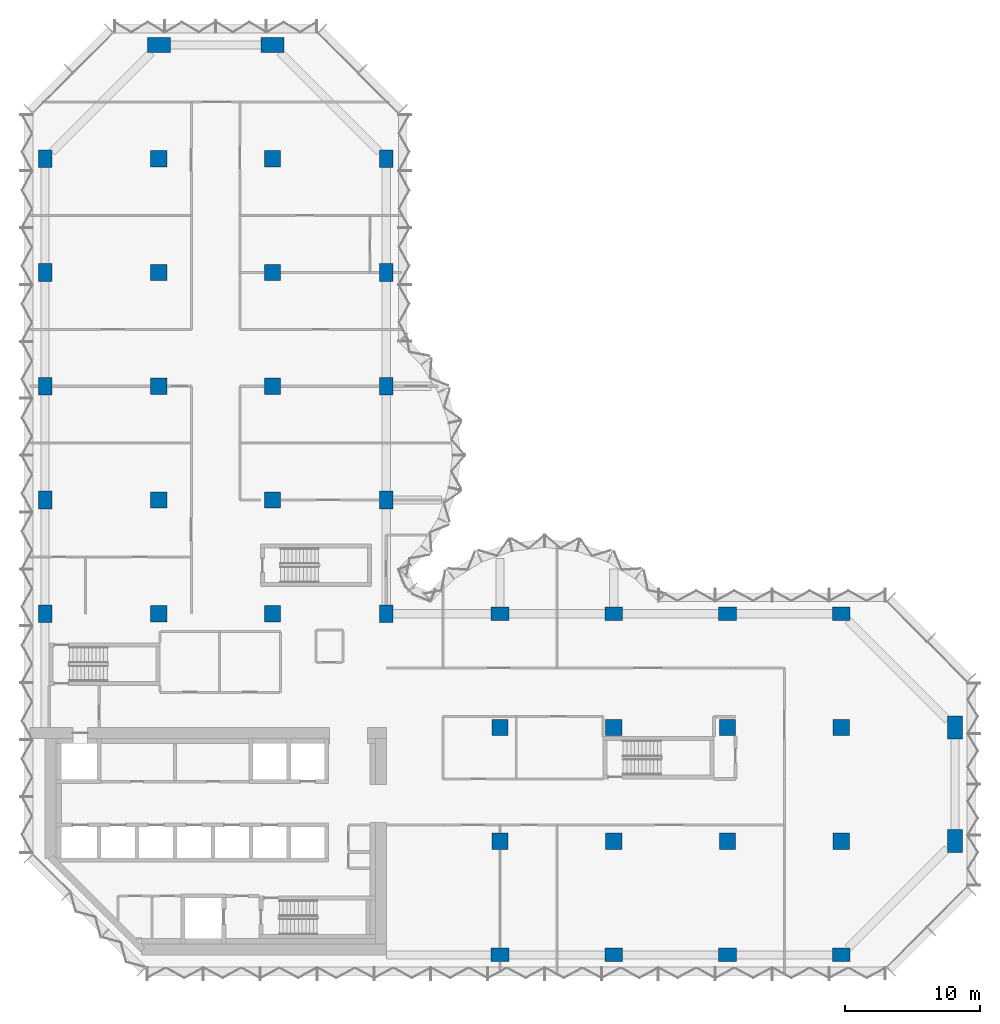
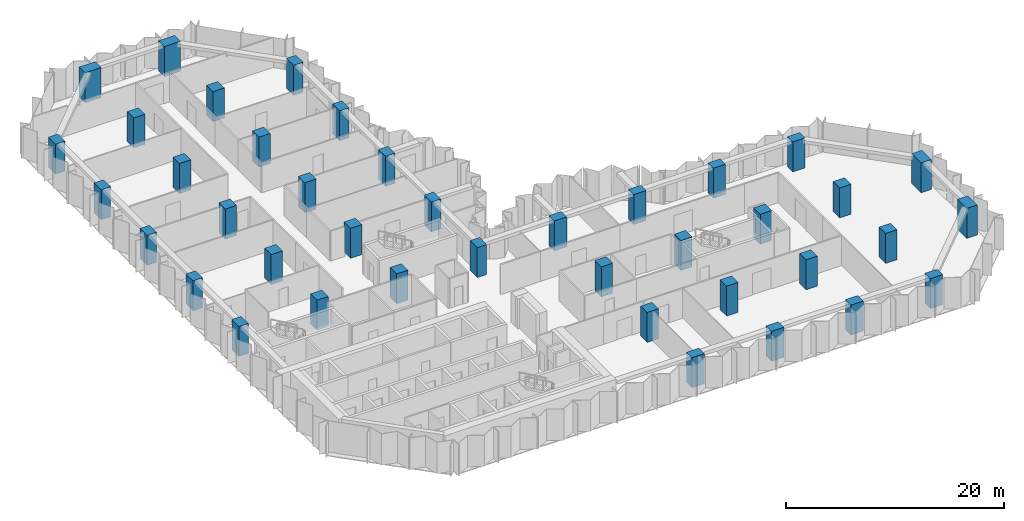
# One storey, part 1 of 13: 40 columns.
"""IFC4 building model written with IfcOpenShell, lengths in metres."""

import ifcopenshell
import ifcopenshell.guid

model = None  # the IFC model being written
_history = None  # IfcOwnerHistory: only IFC2X3 demands one
_inside = {}  # id of a spatial element -> (the spatial element, [elements in it])
_under = {}  # id of a project, library or spatial element -> (it, [spatial elements below it])
_declared = {}  # id of a project -> (the project, [libraries it declares])
_typed = {}  # id of a type object -> (the type object, [elements of that type])
_made_of = {}  # id of a material, layer set ... -> (it, [elements and type objects made of it])


def new_model(schema):
    """Start an empty IFC model of exactly this schema.

    Asked for "IFC4X3", IfcOpenShell would pick the latest addendum, in which some entities
    have other attributes; the version numbers below select the first issue.
    IFC2X3 requires an IfcOwnerHistory on every rooted entity: one is made here for all.
    """
    global model, _history
    if schema == "IFC4X3":
        model = ifcopenshell.file(schema_version=(4, 3, 0, 0))
    else:
        model = ifcopenshell.file(schema=schema)
    _inside.clear()
    _under.clear()
    _declared.clear()
    _typed.clear()
    _made_of.clear()
    _history = None
    if model.schema == "IFC2X3":
        org = make("IfcOrganization", Name="unknown")
        user = make(
            "IfcPersonAndOrganization",
            ThePerson=make("IfcPerson", FamilyName="unknown"),
            TheOrganization=org,
        )
        app = make(
            "IfcApplication",
            ApplicationDeveloper=org,
            Version="unknown",
            ApplicationFullName="unknown",
            ApplicationIdentifier="unknown",
        )
        _history = make(
            "IfcOwnerHistory",
            OwningUser=user,
            OwningApplication=app,
            ChangeAction="ADDED",
            CreationDate=0,
        )
    return model


def make(cls, **values):
    """One entity of the class cls with the attributes given. An attribute that is None is left unset."""
    return model.create_entity(
        cls, **{name: value for name, value in values.items() if value is not None}
    )


def rooted(cls, **values):
    """An entity with a GlobalId (a new one), such as an element, a storey or a relation."""
    return make(cls, GlobalId=ifcopenshell.guid.new(), OwnerHistory=_history, **values)


def si_unit(unit_type, name, prefix=None):
    """IfcSIUnit, for example si_unit("LENGTHUNIT", "METRE", prefix="MILLI")."""
    return make("IfcSIUnit", UnitType=unit_type, Prefix=prefix, Name=name)


def assignment(units):
    """IfcUnitAssignment: the units of a project."""
    return None if units is None else make("IfcUnitAssignment", Units=units)


def point(xyz):
    """IfcCartesianPoint."""
    return None if xyz is None else make("IfcCartesianPoint", Coordinates=xyz)


def direction(xyz):
    """IfcDirection."""
    return None if xyz is None else make("IfcDirection", DirectionRatios=xyz)


def frame(location, z_axis=None, x_axis=None):
    """IfcAxis2Placement3D, a coordinate frame: its origin and axes. An axis left out is left unset."""
    return make(
        "IfcAxis2Placement3D",
        Location=point(location),
        Axis=direction(z_axis),
        RefDirection=direction(x_axis),
    )


def frame_2d(location, x_axis=None):
    """IfcAxis2Placement2D, a coordinate frame in the plane: its origin and x axis."""
    return make(
        "IfcAxis2Placement2D", Location=point(location), RefDirection=direction(x_axis)
    )


def origin():
    """The frame at (0, 0, 0) with its axes left unset."""
    return frame((0.0, 0.0, 0.0))


def origin_2d():
    """The frame at (0, 0) in the plane with its x axis left unset."""
    return frame_2d((0.0, 0.0))


def place(relative_to, where):
    """IfcLocalPlacement: puts the frame where relative to a parent placement (None: the world)."""
    return make(
        "IfcLocalPlacement", PlacementRelTo=relative_to, RelativePlacement=where
    )


def context(
    kind, dimensions, precision=None, world=None, true_north=None, identifier=None
):
    """IfcGeometricRepresentationContext, for example the 3D "Model" context."""
    return make(
        "IfcGeometricRepresentationContext",
        ContextIdentifier=identifier,
        ContextType=kind,
        CoordinateSpaceDimension=dimensions,
        Precision=precision,
        WorldCoordinateSystem=world,
        TrueNorth=true_north,
    )


def subcontext(parent, identifier, kind, view, scale=None):
    """IfcGeometricRepresentationSubContext, for example "Body" below "Model"."""
    return make(
        "IfcGeometricRepresentationSubContext",
        ContextIdentifier=identifier,
        ContextType=kind,
        ParentContext=parent,
        TargetScale=scale,
        TargetView=view,
    )


def project(units=None, contexts=None):
    """IfcProject with its units and contexts."""
    return rooted(
        "IfcProject",
        Name="project",
        RepresentationContexts=contexts,
        UnitsInContext=assignment(units),
    )


def spatial(cls, under=None, at=None, **own):
    """A site, building, storey or space (cls), placed at a placement, below another one or the project."""
    s = rooted(cls, ObjectPlacement=at, **own)
    if under is not None:
        _under.setdefault(under.id(), (under, []))[1].append(s)
    return s


def profile(cls, at=None, kind="AREA", **sizes):
    """A parametric profile (cls). Its sizes go by their IFC names, for example OverallWidth=200.0."""
    return make(cls, ProfileType=kind, Position=at, **sizes)


def rectangle(**sizes):
    """IfcRectangleProfileDef."""
    return profile("IfcRectangleProfileDef", **sizes)


def extrude(swept, where, along, depth):
    """IfcExtrudedAreaSolid: the profile swept, set in the frame where, extruded along a direction by depth."""
    return make(
        "IfcExtrudedAreaSolid",
        SweptArea=swept,
        Position=where,
        ExtrudedDirection=direction(along),
        Depth=depth,
    )


def shape(context_of_items, identifier, shape_type, items):
    """IfcShapeRepresentation: the items that make up one representation, for example the "Body"."""
    return make(
        "IfcShapeRepresentation",
        ContextOfItems=context_of_items,
        RepresentationIdentifier=identifier,
        RepresentationType=shape_type,
        Items=items,
    )


def material(Name=None, Category=None):
    """IfcMaterial."""
    return make("IfcMaterial", Name=Name, Category=Category)


def material_profile(
    of_material, cross_section, Name=None, Category=None, Priority=None
):
    """IfcMaterialProfile: a cross section and its material."""
    return make(
        "IfcMaterialProfile",
        Name=Name,
        Material=of_material,
        Profile=cross_section,
        Priority=Priority,
        Category=Category,
    )


def profile_set(profiles, Name=None, composite=None):
    """IfcMaterialProfileSet."""
    return make(
        "IfcMaterialProfileSet",
        Name=Name,
        MaterialProfiles=profiles,
        CompositeProfile=composite,
    )


def made_of(thing, what):
    """Note that an element or type object is made of a material, layer set ...; save() writes the relation."""
    if what is not None:
        _made_of.setdefault(what.id(), (what, []))[1].append(thing)
    return thing


def type_object(cls, material=None, **own):
    """A type object (cls), such as IfcWallType, which elements share."""
    return made_of(rooted(cls, **own), material)


def element(
    cls,
    number,
    at=None,
    inside=None,
    cuts=None,
    type_object=None,
    material=None,
    context=None,
    identifier="Body",
    shape_type=None,
    held_by="IfcProductDefinitionShape",
    body=None,
    shapes=None,
    **own,
):
    """One element of the class cls, such as IfcWall. Its Tag is "e" and its number.

    at: its placement. inside: the storey or other place that contains it. cuts: it is an
    opening in that element (IfcRelVoidsElement). A single representation is given by context,
    identifier, shape_type and body (its items); several are given by shapes. held_by: the class
    of the entity that holds the representations. save() writes the other relations.
    """
    e = rooted(cls, Tag="e%d" % number, ObjectPlacement=at, **own)
    if body is not None:
        shapes = [shape(context, identifier, shape_type, body)]
    if shapes is not None:
        e.Representation = make(held_by, Representations=shapes)
    if inside is not None:
        _inside.setdefault(inside.id(), (inside, []))[1].append(e)
    if cuts is not None:
        rooted(
            "IfcRelVoidsElement", RelatingBuildingElement=cuts, RelatedOpeningElement=e
        )
    if type_object is not None:
        _typed.setdefault(type_object.id(), (type_object, []))[1].append(e)
    return made_of(e, material)


def aggregate(whole, parts):
    """IfcRelAggregates: a whole, such as a stair, and the parts it consists of."""
    return rooted("IfcRelAggregates", RelatingObject=whole, RelatedObjects=parts)


def save(model, path):
    """Write the relations noted so far, then the file.

    IfcRelAggregates (storeys below a building ...), IfcRelContainedInSpatialStructure (elements
    in a storey), IfcRelDefinesByType, IfcRelAssociatesMaterial and IfcRelDeclares: one each for
    every whole, place, type object, material and project.
    """
    for whole, parts in _under.values():
        aggregate(whole, parts)
    for where, things in _inside.values():
        rooted(
            "IfcRelContainedInSpatialStructure",
            RelatedElements=things,
            RelatingStructure=where,
        )
    for kind, things in _typed.values():
        rooted("IfcRelDefinesByType", RelatedObjects=things, RelatingType=kind)
    for what, things in _made_of.values():
        rooted("IfcRelAssociatesMaterial", RelatedObjects=things, RelatingMaterial=what)
    for by, libraries in _declared.values():
        rooted("IfcRelDeclares", RelatingContext=by, RelatedDefinitions=libraries)
    model.write(path)


model = new_model("IFC4")

# Units and contexts
model_context = context("Model", 3, precision=1e-05, world=origin(), true_north=direction((0.0, 1.0)))
body_context = subcontext(model_context, "Body", "Model", "MODEL_VIEW")
ifc_project = project(units=[si_unit("LENGTHUNIT", "METRE"), si_unit("AREAUNIT", "SQUARE_METRE"), si_unit("VOLUMEUNIT", "CUBIC_METRE"), si_unit("PLANEANGLEUNIT", "RADIAN"), si_unit("MASSUNIT", "GRAM", prefix="KILO")], contexts=[model_context])

# Site, building, storey
site_placement = place(None, origin())
site = spatial("IfcSite", under=ifc_project, at=site_placement, CompositionType="ELEMENT")
building_placement = place(site_placement, origin())
building = spatial("IfcBuilding", under=site, at=building_placement, Name="Brevane Broadcast Tower", CompositionType="ELEMENT")
storey_placement = place(building_placement, frame((0.0, 0.0, 95.300048828125)))
storey = spatial("IfcBuildingStorey", under=building, at=storey_placement, Name="L22", CompositionType="ELEMENT", Elevation=95.300048828125)

# Columns
ifc_material = material(Name="Concrete C60/75", Category="concrete")
ifc_material_profile_1 = material_profile(ifc_material, rectangle(XDim=1.0, YDim=1.300048828125, at=origin_2d()), Name="RC 1000x1300")
ifc_profile_set_1 = profile_set([ifc_material_profile_1], Name="Concrete C60/75")
column_type_1 = type_object("IfcColumnType", Name="RC COLUMN EDGE 1000x1300 C60/75", PredefinedType="COLUMN", material=ifc_profile_set_1)
for number, where, z_axis, x_axis, name in (
    (1, (0.0, 25.199951171875, 0.0), (0.0, 0.0, 1.0), (1.0, 0.0, 0.0), "CE8 1/D"),
    (2, (0.0, 33.60009765625, 0.0), (0.0, 0.0, 1.0), (1.0, 0.0, 0.0), "CE8 1/E"),
    (3, (0.0, 42.0, 0.0), (0.0, 0.0, 1.0), (1.0, 0.0, 0.0), "CE8 1/F"),
    (4, (0.0, 50.39990234375, 0.0), (0.0, 0.0, 1.0), (1.0, 0.0, 0.0), "CE8 1/G"),
    (5, (0.0, 58.800048828125, 0.0), (0.0, 0.0, 1.0), (1.0, 0.0, 0.0), "CE8 1/H"),
    (6, (25.199951171875, 25.199951171875, 0.0), (0.0, 0.0, 1.0), (1.0, 0.0, 0.0), "CE8 4/D"),
    (7, (25.199951171875, 33.60009765625, 0.0), (0.0, 0.0, 1.0), (1.0, 0.0, 0.0), "CE8 4/E"),
    (8, (25.199951171875, 42.0, 0.0), (0.0, 0.0, 1.0), (1.0, 0.0, 0.0), "CE8 4/F"),
    (9, (25.199951171875, 50.39990234375, 0.0), (0.0, 0.0, 1.0), (1.0, 0.0, 0.0), "CE8 4/G"),
    (10, (25.199951171875, 58.800048828125, 0.0), (0.0, 0.0, 1.0), (1.0, 0.0, 0.0), "CE8 4/H"),
    (11, (33.60009765625, 0.0, 0.0), (0.0, 0.0, 1.0), (0.0, 1.0, 0.0), "CE8 5/A"),
    (12, (33.60009765625, 25.199951171875, 0.0), (0.0, 0.0, 1.0), (0.0, 1.0, 0.0), "CE8 5/D"),
    (13, (42.0, 0.0, 0.0), (0.0, 0.0, 1.0), (0.0, 1.0, 0.0), "CE8 6/A"),
    (14, (42.0, 25.199951171875, 0.0), (0.0, 0.0, 1.0), (0.0, 1.0, 0.0), "CE8 6/D"),
    (15, (50.39990234375, 0.0, 0.0), (0.0, 0.0, 1.0), (0.0, 1.0, 0.0), "CE8 7/A"),
    (16, (50.39990234375, 25.199951171875, 0.0), (0.0, 0.0, 1.0), (0.0, 1.0, 0.0), "CE8 7/D"),
    (17, (58.800048828125, 0.0, 0.0), (0.0, 0.0, 1.0), (0.0, 1.0, 0.0), "CE8 8/A"),
    (18, (58.800048828125, 25.199951171875, 0.0), (0.0, 0.0, 1.0), (0.0, 1.0, 0.0), "CE8 8/D"),
):
    element("IfcColumn", number, at=place(storey_placement, frame(where, z_axis=z_axis, x_axis=x_axis)), inside=storey, type_object=column_type_1, Name=name, PredefinedType="COLUMN", context=body_context, shape_type="SweptSolid", body=[
        extrude(rectangle(XDim=1.0, YDim=1.300048828125, at=origin_2d()), origin(), (0.0, 0.0, 1.0), 3.349853515625),
    ])
ifc_material_profile_2 = material_profile(ifc_material, rectangle(XDim=1.199951171875, YDim=1.199951171875, at=origin_2d()), Name="RC 1200x1200")
ifc_profile_set_2 = profile_set([ifc_material_profile_2], Name="Concrete C60/75")
column_type_2 = type_object("IfcColumnType", Name="RC COLUMN INTERIOR 1200x1200 C60/75", PredefinedType="COLUMN", material=ifc_profile_set_2)
for number, where, z_axis, x_axis, name in (
    (19, (8.39990234375, 25.199951171875, 0.0), (0.0, 0.0, 1.0), (1.0, 0.0, 0.0), "CI9 2/D"),
    (20, (8.39990234375, 33.60009765625, 0.0), (0.0, 0.0, 1.0), (1.0, 0.0, 0.0), "CI9 2/E"),
    (21, (8.39990234375, 42.0, 0.0), (0.0, 0.0, 1.0), (1.0, 0.0, 0.0), "CI9 2/F"),
    (22, (8.39990234375, 50.39990234375, 0.0), (0.0, 0.0, 1.0), (1.0, 0.0, 0.0), "CI9 2/G"),
    (23, (8.39990234375, 58.800048828125, 0.0), (0.0, 0.0, 1.0), (1.0, 0.0, 0.0), "CI9 2/H"),
    (24, (16.800048828125, 25.199951171875, 0.0), (0.0, 0.0, 1.0), (1.0, 0.0, 0.0), "CI9 3/D"),
    (25, (16.800048828125, 33.60009765625, 0.0), (0.0, 0.0, 1.0), (1.0, 0.0, 0.0), "CI9 3/E"),
    (26, (16.800048828125, 42.0, 0.0), (0.0, 0.0, 1.0), (1.0, 0.0, 0.0), "CI9 3/F"),
    (27, (16.800048828125, 50.39990234375, 0.0), (0.0, 0.0, 1.0), (1.0, 0.0, 0.0), "CI9 3/G"),
    (28, (16.800048828125, 58.800048828125, 0.0), (0.0, 0.0, 1.0), (1.0, 0.0, 0.0), "CI9 3/H"),
    (29, (33.60009765625, 8.39990234375, 0.0), (0.0, 0.0, 1.0), (1.0, 0.0, 0.0), "CI9 5/B"),
    (30, (33.60009765625, 16.800048828125, 0.0), (0.0, 0.0, 1.0), (1.0, 0.0, 0.0), "CI9 5/C"),
    (31, (42.0, 8.39990234375, 0.0), (0.0, 0.0, 1.0), (1.0, 0.0, 0.0), "CI9 6/B"),
    (32, (42.0, 16.800048828125, 0.0), (0.0, 0.0, 1.0), (1.0, 0.0, 0.0), "CI9 6/C"),
    (33, (50.39990234375, 8.39990234375, 0.0), (0.0, 0.0, 1.0), (1.0, 0.0, 0.0), "CI9 7/B"),
    (34, (50.39990234375, 16.800048828125, 0.0), (0.0, 0.0, 1.0), (1.0, 0.0, 0.0), "CI9 7/C"),
    (35, (58.800048828125, 8.39990234375, 0.0), (0.0, 0.0, 1.0), (1.0, 0.0, 0.0), "CI9 8/B"),
    (36, (58.800048828125, 16.800048828125, 0.0), (0.0, 0.0, 1.0), (1.0, 0.0, 0.0), "CI9 8/C"),
):
    element("IfcColumn", number, at=place(storey_placement, frame(where, z_axis=z_axis, x_axis=x_axis)), inside=storey, type_object=column_type_2, Name=name, PredefinedType="COLUMN", context=body_context, shape_type="SweptSolid", body=[
        extrude(rectangle(XDim=1.199951171875, YDim=1.199951171875, at=origin_2d()), origin(), (0.0, 0.0, 1.0), 3.349853515625),
    ])
ifc_material_profile_3 = material_profile(ifc_material, rectangle(XDim=1.10009765625, YDim=1.699951171875, at=origin_2d()), Name="RC 1100x1700")
ifc_profile_set_3 = profile_set([ifc_material_profile_3], Name="Concrete C60/75")
column_type_3 = type_object("IfcColumnType", Name="RC COLUMN WING-END 1100x1700 C60/75", PredefinedType="COLUMN", material=ifc_profile_set_3)
for number, where, z_axis, x_axis, name in (
    (37, (8.39990234375, 67.199951171875, 0.0), (0.0, 0.0, 1.0), (0.0, 1.0, 0.0), "CW10 2/I"),
    (38, (16.800048828125, 67.199951171875, 0.0), (0.0, 0.0, 1.0), (0.0, 1.0, 0.0), "CW10 3/I"),
    (39, (67.199951171875, 8.39990234375, 0.0), (0.0, 0.0, 1.0), (1.0, 0.0, 0.0), "CW10 9/B"),
    (40, (67.199951171875, 16.800048828125, 0.0), (0.0, 0.0, 1.0), (1.0, 0.0, 0.0), "CW10 9/C"),
):
    element("IfcColumn", number, at=place(storey_placement, frame(where, z_axis=z_axis, x_axis=x_axis)), inside=storey, type_object=column_type_3, Name=name, PredefinedType="COLUMN", context=body_context, shape_type="SweptSolid", body=[
        extrude(rectangle(XDim=1.10009765625, YDim=1.699951171875, at=origin_2d()), origin(), (0.0, 0.0, 1.0), 3.349853515625),
    ])

save(model, "model.ifc")
